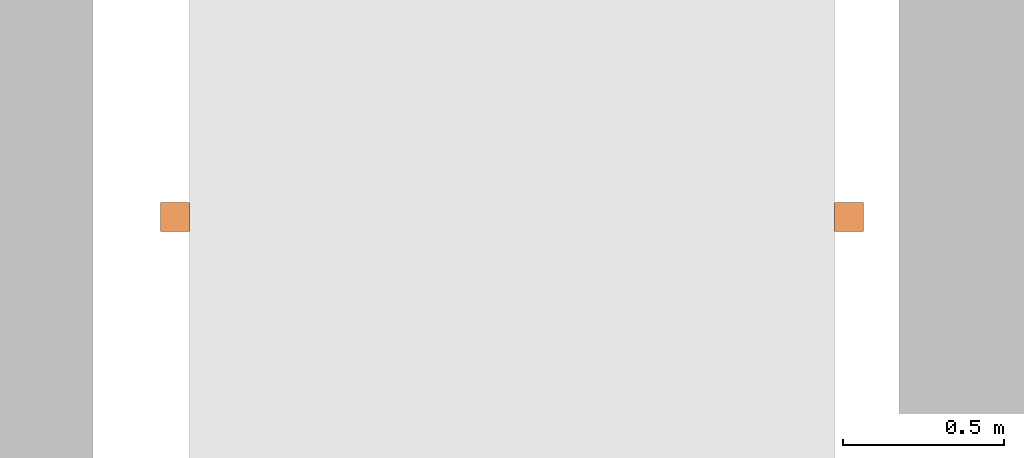
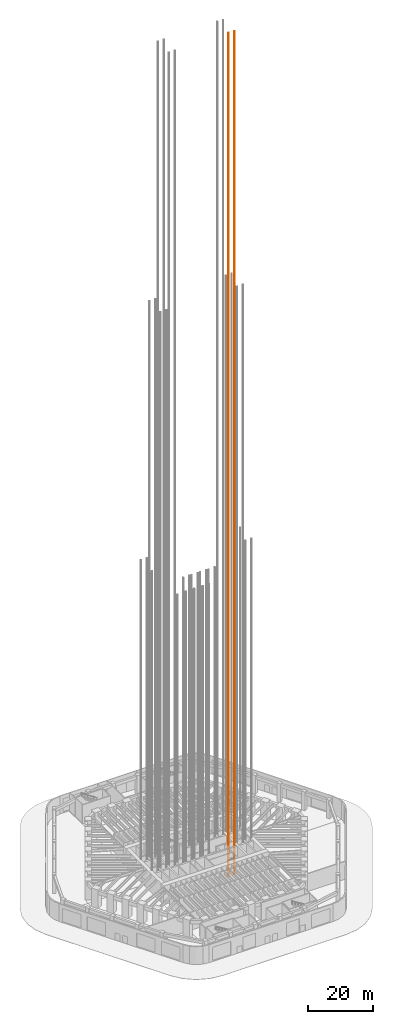
# One storey, part 18 of 23: 1 proxy.
"""IFC4 building model written with IfcOpenShell, lengths in metres."""

from ifc_helpers import new_model, si_unit, direction, frame, frame_2d, origin, origin_2d, place, context, subcontext, project, spatial, rectangle, extrude, material, element, save


model = new_model("IFC4")

# Units and contexts
model_context = context("Model", 3, precision=1e-05, world=origin(), true_north=direction((0.0, 1.0)))
body_context = subcontext(model_context, "Body", "Model", "MODEL_VIEW")
ifc_project = project(units=[si_unit("LENGTHUNIT", "METRE"), si_unit("AREAUNIT", "SQUARE_METRE"), si_unit("VOLUMEUNIT", "CUBIC_METRE"), si_unit("PLANEANGLEUNIT", "RADIAN"), si_unit("MASSUNIT", "GRAM", prefix="KILO")], contexts=[model_context])

# Site, building, storey
site_placement = place(None, origin())
site = spatial("IfcSite", under=ifc_project, at=site_placement, CompositionType="ELEMENT")
building_placement = place(site_placement, origin())
building = spatial("IfcBuilding", under=site, at=building_placement, Name="Tarfa Lantern Tower", CompositionType="ELEMENT")
storey_placement = place(building_placement, origin())
storey = spatial("IfcBuildingStorey", under=building, at=storey_placement, Name="L00", CompositionType="ELEMENT", Elevation=0.0)

# Proxy
ifc_material = material(Name="Steel S355", Category="steel")
proxy_placement = place(storey_placement, frame((9.455078125, -3.39990234375, -4.5), z_axis=(0.0, 0.0, 1.0), x_axis=(1.0, 0.0, 0.0)))
element("IfcBuildingElementProxy", 1, at=proxy_placement, inside=storey, material=ifc_material, Name="Guide rails S11", PredefinedType="NOTDEFINED", context=body_context, shape_type="SweptSolid", body=[
    extrude(rectangle(XDim=0.090087890625, YDim=0.090087890625, at=origin_2d()), origin(), (0.0, 0.0, 1.0), 315.449951171875),
    extrude(rectangle(XDim=0.090087890625, YDim=0.090087890625, at=frame_2d((2.08984375, 0.0))), origin(), (0.0, 0.0, 1.0), 315.449951171875),
])

save(model, "model.ifc")
